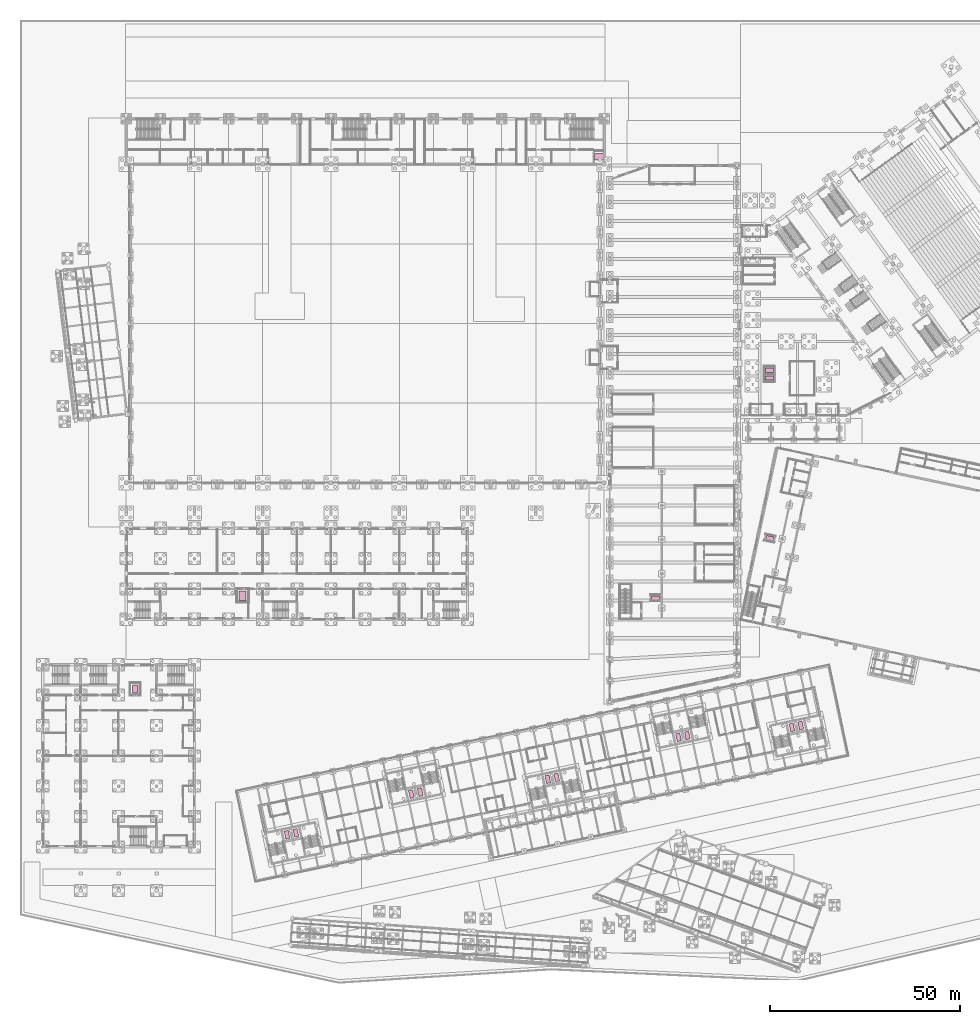
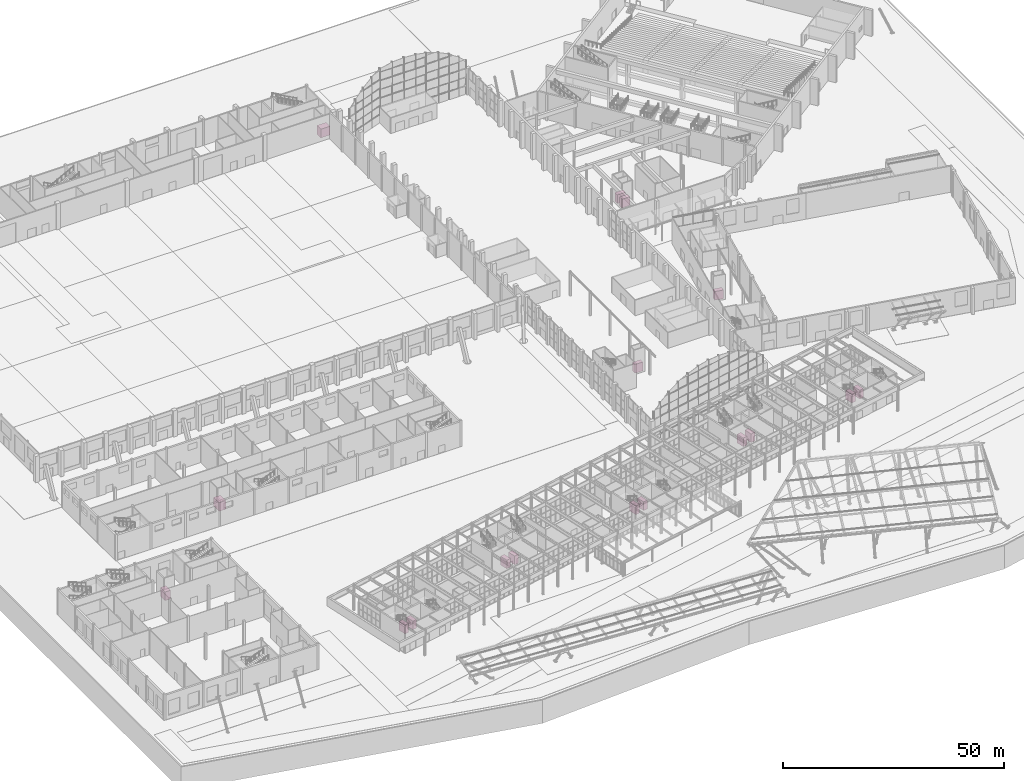
# One storey, part 239 of 239: 17 transport elements.
"""IFC4 building model written with IfcOpenShell, lengths in metres."""

from ifc_helpers import new_model, si_unit, direction, frame, origin, origin_2d, place, context, subcontext, project, spatial, rectangle, extrude, material, type_object, element, save


model = new_model("IFC4")

# Units and contexts
model_context = context("Model", 3, precision=1e-05, world=origin(), true_north=direction((0.0, 1.0)))
body_context = subcontext(model_context, "Body", "Model", "MODEL_VIEW")
ifc_project = project(units=[si_unit("LENGTHUNIT", "METRE"), si_unit("AREAUNIT", "SQUARE_METRE"), si_unit("VOLUMEUNIT", "CUBIC_METRE"), si_unit("PLANEANGLEUNIT", "RADIAN"), si_unit("MASSUNIT", "GRAM", prefix="KILO")], contexts=[model_context])

# Site, building, storey
site_placement = place(None, origin())
site = spatial("IfcSite", under=ifc_project, at=site_placement, CompositionType="ELEMENT")
building_placement = place(site_placement, origin())
building = spatial("IfcBuilding", under=site, at=building_placement, Name="Okhra Congress Centre", CompositionType="ELEMENT")
storey_placement = place(building_placement, origin())
storey = spatial("IfcBuildingStorey", under=building, at=storey_placement, Name="L00", CompositionType="ELEMENT", Elevation=0.0)

# Transport elements
ifc_material = material(Name="Stainless steel car", Category="steel")
transport_element_type_1 = type_object("IfcTransportElementType", Name="Goods lift 1800x2400 2500 kg", PredefinedType="ELEVATOR", material=ifc_material)
transport_element_1_placement = place(storey_placement, frame((58.699951171875, 102.199951171875, 0.0), z_axis=(0.0, 0.0, 1.0), x_axis=(1.0, 0.0, 0.0)))
element("IfcTransportElement", 1, at=transport_element_1_placement, inside=storey, type_object=transport_element_type_1, Name="Goods lift car", PredefinedType="ELEVATOR", context=body_context, shape_type="SweptSolid", body=[
    extrude(rectangle(XDim=1.800048828125, YDim=2.39990234375, at=origin_2d()), origin(), (0.0, 0.0, 1.0), 2.39990234375),
])
transport_element_type_2 = type_object("IfcTransportElementType", Name="Goods lift 2400x1800 1000 kg", PredefinedType="ELEVATOR", material=ifc_material)
transport_element_2_placement = place(storey_placement, frame((152.625, 217.949951171875, 0.0), z_axis=(0.0, 0.0, 1.0), x_axis=(1.0, 0.0, 0.0)))
element("IfcTransportElement", 2, at=transport_element_2_placement, inside=storey, type_object=transport_element_type_2, Name="Goods Lift", PredefinedType="ELEVATOR", context=body_context, shape_type="SweptSolid", body=[
    extrude(rectangle(XDim=2.39990234375, YDim=1.800048828125, at=origin_2d()), origin(), (0.0, 0.0, 1.0), 2.39990234375),
])
transport_element_type_3 = type_object("IfcTransportElementType", Name="Passenger lift 1100x2100 1000 kg", PredefinedType="ELEVATOR", material=ifc_material)
for number, where, z_axis, x_axis, name in (
    (3, (70.388671875, 39.204833984375, 0.0), (0.0, 0.0, 1.0), (0.978147600734, 0.207911690818, 0.0), "Passenger lift 1.1"),
    (4, (72.736328125, 39.703857421875, 0.0), (0.0, 0.0, 1.0), (0.978147600734, 0.207911690818, 0.0), "Passenger lift 1.2"),
    (5, (103.180419921875, 49.906494140625, 0.0), (0.0, 0.0, 1.0), (0.978147600734, 0.207911690818, 0.0), "Passenger lift 2.1"),
    (6, (105.52783203125, 50.405517578125, 0.0), (0.0, 0.0, 1.0), (0.978147600734, 0.207911690818, 0.0), "Passenger lift 2.2"),
    (7, (139.152587890625, 53.821044921875, 0.0), (0.0, 0.0, 1.0), (0.978147600734, 0.207911690818, 0.0), "Passenger lift 3.1"),
    (8, (141.5, 54.320068359375, 0.0), (0.0, 0.0, 1.0), (0.978147600734, 0.207911690818, 0.0), "Passenger lift 3.2"),
    (9, (173.60693359375, 64.876220703125, 0.0), (0.0, 0.0, 1.0), (0.978147600734, 0.207911690818, 0.0), "Passenger lift 4.1"),
    (10, (175.95458984375, 65.375, 0.0), (0.0, 0.0, 1.0), (0.978147600734, 0.207911690818, 0.0), "Passenger lift 4.2"),
    (11, (203.5146484375, 67.501708984375, 0.0), (0.0, 0.0, 1.0), (0.978147600734, 0.207911690818, 0.0), "Passenger lift 5.1"),
    (12, (205.862060546875, 68.000732421875, 0.0), (0.0, 0.0, 1.0), (0.978147600734, 0.207911690818, 0.0), "Passenger lift 5.2"),
    (13, (167.60009765625, 101.64990234375, 0.0), (0.0, 0.0, 1.0), (0.0, 1.0, 0.0), "Gallery Lift"),
    (14, (197.710205078125, 117.36376953125, 0.0), (0.0, 0.0, 1.0), (0.207911690818, 0.978147600734, 0.0), "Gallery Lift"),
    (15, (197.64990234375, 159.60009765625, 0.0), (0.0, 0.0, 1.0), (0.0, 1.0, 0.0), "Passenger lift 1"),
    (16, (197.64990234375, 161.64990234375, 0.0), (0.0, 0.0, 1.0), (0.0, 1.0, 0.0), "Passenger lift 2"),
):
    element("IfcTransportElement", number, at=place(storey_placement, frame(where, z_axis=z_axis, x_axis=x_axis)), inside=storey, type_object=transport_element_type_3, Name=name, PredefinedType="ELEVATOR", context=body_context, shape_type="SweptSolid", body=[
        extrude(rectangle(XDim=1.10009765625, YDim=2.10009765625, at=origin_2d()), origin(), (0.0, 0.0, 1.0), 2.39990234375),
    ])
transport_element_type_4 = type_object("IfcTransportElementType", Name="Passenger lift 1400x2100 1000 kg", PredefinedType="ELEVATOR", material=ifc_material)
transport_element_3_placement = place(storey_placement, frame((30.324951171875, 77.60009765625, 0.0), z_axis=(0.0, 0.0, 1.0), x_axis=(1.0, 0.0, 0.0)))
element("IfcTransportElement", 17, at=transport_element_3_placement, inside=storey, type_object=transport_element_type_4, Name="Passenger lift 6.1", PredefinedType="ELEVATOR", context=body_context, shape_type="SweptSolid", body=[
    extrude(rectangle(XDim=1.39990234375, YDim=2.10009765625, at=origin_2d()), origin(), (0.0, 0.0, 1.0), 2.39990234375),
])

save(model, "model.ifc")
